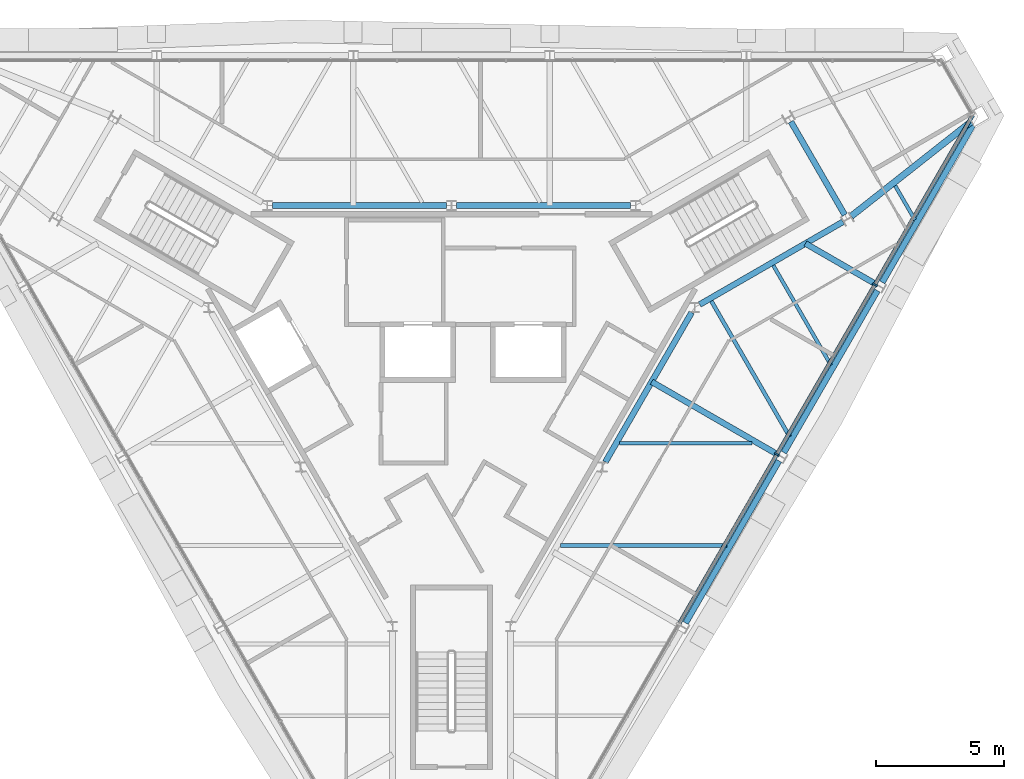
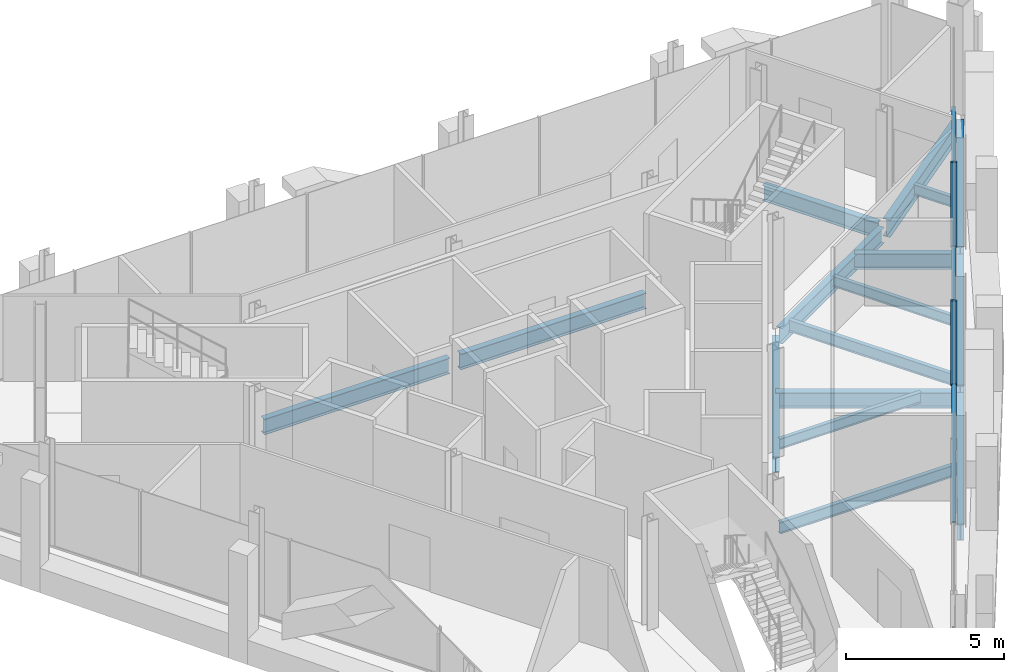
# One storey, part 5 of 13: 16 beams, 5 members, 1 element without a shape of its own.
"""IFC4 building model written with IfcOpenShell, lengths in metres."""

import ifcopenshell
import ifcopenshell.guid

model = None  # the IFC model being written
_history = None  # IfcOwnerHistory: only IFC2X3 demands one
_inside = {}  # id of a spatial element -> (the spatial element, [elements in it])
_under = {}  # id of a project, library or spatial element -> (it, [spatial elements below it])
_declared = {}  # id of a project -> (the project, [libraries it declares])
_typed = {}  # id of a type object -> (the type object, [elements of that type])
_made_of = {}  # id of a material, layer set ... -> (it, [elements and type objects made of it])


def new_model(schema):
    """Start an empty IFC model of exactly this schema.

    Asked for "IFC4X3", IfcOpenShell would pick the latest addendum, in which some entities
    have other attributes; the version numbers below select the first issue.
    IFC2X3 requires an IfcOwnerHistory on every rooted entity: one is made here for all.
    """
    global model, _history
    if schema == "IFC4X3":
        model = ifcopenshell.file(schema_version=(4, 3, 0, 0))
    else:
        model = ifcopenshell.file(schema=schema)
    _inside.clear()
    _under.clear()
    _declared.clear()
    _typed.clear()
    _made_of.clear()
    _history = None
    if model.schema == "IFC2X3":
        org = make("IfcOrganization", Name="unknown")
        user = make(
            "IfcPersonAndOrganization",
            ThePerson=make("IfcPerson", FamilyName="unknown"),
            TheOrganization=org,
        )
        app = make(
            "IfcApplication",
            ApplicationDeveloper=org,
            Version="unknown",
            ApplicationFullName="unknown",
            ApplicationIdentifier="unknown",
        )
        _history = make(
            "IfcOwnerHistory",
            OwningUser=user,
            OwningApplication=app,
            ChangeAction="ADDED",
            CreationDate=0,
        )
    return model


def make(cls, **values):
    """One entity of the class cls with the attributes given. An attribute that is None is left unset."""
    return model.create_entity(
        cls, **{name: value for name, value in values.items() if value is not None}
    )


def rooted(cls, **values):
    """An entity with a GlobalId (a new one), such as an element, a storey or a relation."""
    return make(cls, GlobalId=ifcopenshell.guid.new(), OwnerHistory=_history, **values)


def si_unit(unit_type, name, prefix=None):
    """IfcSIUnit, for example si_unit("LENGTHUNIT", "METRE", prefix="MILLI")."""
    return make("IfcSIUnit", UnitType=unit_type, Prefix=prefix, Name=name)


def assignment(units):
    """IfcUnitAssignment: the units of a project."""
    return None if units is None else make("IfcUnitAssignment", Units=units)


def point(xyz):
    """IfcCartesianPoint."""
    return None if xyz is None else make("IfcCartesianPoint", Coordinates=xyz)


def direction(xyz):
    """IfcDirection."""
    return None if xyz is None else make("IfcDirection", DirectionRatios=xyz)


def frame(location, z_axis=None, x_axis=None):
    """IfcAxis2Placement3D, a coordinate frame: its origin and axes. An axis left out is left unset."""
    return make(
        "IfcAxis2Placement3D",
        Location=point(location),
        Axis=direction(z_axis),
        RefDirection=direction(x_axis),
    )


def frame_2d(location, x_axis=None):
    """IfcAxis2Placement2D, a coordinate frame in the plane: its origin and x axis."""
    return make(
        "IfcAxis2Placement2D", Location=point(location), RefDirection=direction(x_axis)
    )


def origin():
    """The frame at (0, 0, 0) with its axes left unset."""
    return frame((0.0, 0.0, 0.0))


def origin_2d():
    """The frame at (0, 0) in the plane with its x axis left unset."""
    return frame_2d((0.0, 0.0))


def place(relative_to, where):
    """IfcLocalPlacement: puts the frame where relative to a parent placement (None: the world)."""
    return make(
        "IfcLocalPlacement", PlacementRelTo=relative_to, RelativePlacement=where
    )


def context(
    kind, dimensions, precision=None, world=None, true_north=None, identifier=None
):
    """IfcGeometricRepresentationContext, for example the 3D "Model" context."""
    return make(
        "IfcGeometricRepresentationContext",
        ContextIdentifier=identifier,
        ContextType=kind,
        CoordinateSpaceDimension=dimensions,
        Precision=precision,
        WorldCoordinateSystem=world,
        TrueNorth=true_north,
    )


def subcontext(parent, identifier, kind, view, scale=None):
    """IfcGeometricRepresentationSubContext, for example "Body" below "Model"."""
    return make(
        "IfcGeometricRepresentationSubContext",
        ContextIdentifier=identifier,
        ContextType=kind,
        ParentContext=parent,
        TargetScale=scale,
        TargetView=view,
    )


def project(units=None, contexts=None):
    """IfcProject with its units and contexts."""
    return rooted(
        "IfcProject",
        Name="project",
        RepresentationContexts=contexts,
        UnitsInContext=assignment(units),
    )


def spatial(cls, under=None, at=None, **own):
    """A site, building, storey or space (cls), placed at a placement, below another one or the project."""
    s = rooted(cls, ObjectPlacement=at, **own)
    if under is not None:
        _under.setdefault(under.id(), (under, []))[1].append(s)
    return s


def profile(cls, at=None, kind="AREA", **sizes):
    """A parametric profile (cls). Its sizes go by their IFC names, for example OverallWidth=200.0."""
    return make(cls, ProfileType=kind, Position=at, **sizes)


def rectangle(**sizes):
    """IfcRectangleProfileDef."""
    return profile("IfcRectangleProfileDef", **sizes)


def i_section(**sizes):
    """IfcIShapeProfileDef."""
    return profile("IfcIShapeProfileDef", **sizes)


def extrude(swept, where, along, depth):
    """IfcExtrudedAreaSolid: the profile swept, set in the frame where, extruded along a direction by depth."""
    return make(
        "IfcExtrudedAreaSolid",
        SweptArea=swept,
        Position=where,
        ExtrudedDirection=direction(along),
        Depth=depth,
    )


def shape(context_of_items, identifier, shape_type, items):
    """IfcShapeRepresentation: the items that make up one representation, for example the "Body"."""
    return make(
        "IfcShapeRepresentation",
        ContextOfItems=context_of_items,
        RepresentationIdentifier=identifier,
        RepresentationType=shape_type,
        Items=items,
    )


def material(Name=None, Category=None):
    """IfcMaterial."""
    return make("IfcMaterial", Name=Name, Category=Category)


def material_profile(
    of_material, cross_section, Name=None, Category=None, Priority=None
):
    """IfcMaterialProfile: a cross section and its material."""
    return make(
        "IfcMaterialProfile",
        Name=Name,
        Material=of_material,
        Profile=cross_section,
        Priority=Priority,
        Category=Category,
    )


def profile_set(profiles, Name=None, composite=None):
    """IfcMaterialProfileSet."""
    return make(
        "IfcMaterialProfileSet",
        Name=Name,
        MaterialProfiles=profiles,
        CompositeProfile=composite,
    )


def made_of(thing, what):
    """Note that an element or type object is made of a material, layer set ...; save() writes the relation."""
    if what is not None:
        _made_of.setdefault(what.id(), (what, []))[1].append(thing)
    return thing


def type_object(cls, material=None, **own):
    """A type object (cls), such as IfcWallType, which elements share."""
    return made_of(rooted(cls, **own), material)


def element(
    cls,
    number,
    at=None,
    inside=None,
    cuts=None,
    type_object=None,
    material=None,
    context=None,
    identifier="Body",
    shape_type=None,
    held_by="IfcProductDefinitionShape",
    body=None,
    shapes=None,
    **own,
):
    """One element of the class cls, such as IfcWall. Its Tag is "e" and its number.

    at: its placement. inside: the storey or other place that contains it. cuts: it is an
    opening in that element (IfcRelVoidsElement). A single representation is given by context,
    identifier, shape_type and body (its items); several are given by shapes. held_by: the class
    of the entity that holds the representations. save() writes the other relations.
    """
    e = rooted(cls, Tag="e%d" % number, ObjectPlacement=at, **own)
    if body is not None:
        shapes = [shape(context, identifier, shape_type, body)]
    if shapes is not None:
        e.Representation = make(held_by, Representations=shapes)
    if inside is not None:
        _inside.setdefault(inside.id(), (inside, []))[1].append(e)
    if cuts is not None:
        rooted(
            "IfcRelVoidsElement", RelatingBuildingElement=cuts, RelatedOpeningElement=e
        )
    if type_object is not None:
        _typed.setdefault(type_object.id(), (type_object, []))[1].append(e)
    return made_of(e, material)


def aggregate(whole, parts):
    """IfcRelAggregates: a whole, such as a stair, and the parts it consists of."""
    return rooted("IfcRelAggregates", RelatingObject=whole, RelatedObjects=parts)


def save(model, path):
    """Write the relations noted so far, then the file.

    IfcRelAggregates (storeys below a building ...), IfcRelContainedInSpatialStructure (elements
    in a storey), IfcRelDefinesByType, IfcRelAssociatesMaterial and IfcRelDeclares: one each for
    every whole, place, type object, material and project.
    """
    for whole, parts in _under.values():
        aggregate(whole, parts)
    for where, things in _inside.values():
        rooted(
            "IfcRelContainedInSpatialStructure",
            RelatedElements=things,
            RelatingStructure=where,
        )
    for kind, things in _typed.values():
        rooted("IfcRelDefinesByType", RelatedObjects=things, RelatingType=kind)
    for what, things in _made_of.values():
        rooted("IfcRelAssociatesMaterial", RelatedObjects=things, RelatingMaterial=what)
    for by, libraries in _declared.values():
        rooted("IfcRelDeclares", RelatingContext=by, RelatedDefinitions=libraries)
    model.write(path)


model = new_model("IFC4")

# Units and contexts
model_context = context("Model", 3, precision=1e-05, world=origin(), true_north=direction((0.0, 1.0)))
body_context = subcontext(model_context, "Body", "Model", "MODEL_VIEW")
ifc_project = project(units=[si_unit("LENGTHUNIT", "METRE"), si_unit("AREAUNIT", "SQUARE_METRE"), si_unit("VOLUMEUNIT", "CUBIC_METRE"), si_unit("PLANEANGLEUNIT", "RADIAN"), si_unit("MASSUNIT", "GRAM", prefix="KILO")], contexts=[model_context])

# Site, building, storey
site_placement = place(None, origin())
site = spatial("IfcSite", under=ifc_project, at=site_placement, CompositionType="ELEMENT")
building_placement = place(site_placement, origin())
building = spatial("IfcBuilding", under=site, at=building_placement, Name="Verrane Prism Tower", CompositionType="ELEMENT")
storey_placement = place(building_placement, frame((0.0, 0.0, 312.60009765625)))
storey = spatial("IfcBuildingStorey", under=building, at=storey_placement, Name="L79", CompositionType="ELEMENT", Elevation=312.60009765625)

# Beams
ifc_material_1 = material(Name="Steel A992", Category="steel")
ifc_material_profile_1 = material_profile(ifc_material_1, i_section(OverallWidth=0.228271484375, OverallDepth=0.607177734375, WebThickness=0.01123046875, FlangeThickness=0.017333984375, FilletRadius=0.0126953125, at=origin_2d()), Name="W24x76")
ifc_profile_set_1 = profile_set([ifc_material_profile_1], Name="Steel A992")
beam_type_1 = type_object("IfcBeamType", Name="Core ring girder W24x76", PredefinedType="BEAM", material=ifc_profile_set_1)
beam_1_placement = place(storey_placement, frame((9.679443359375, 2.93505859375, -0.5537109375), z_axis=(0.866076057046, 0.499912255713, 0.0), x_axis=(-0.499912255713, 0.866076057046, 0.0)))
element("IfcBeam", 1, at=beam_1_placement, inside=storey, type_object=beam_type_1, Name="Core ring girder L79", PredefinedType="BEAM", context=body_context, shape_type="SweptSolid", body=[
    extrude(i_section(OverallWidth=0.228271484375, OverallDepth=0.607177734375, WebThickness=0.01123046875, FlangeThickness=0.017333984375, FilletRadius=0.0126953125, at=origin_2d()), origin(), (0.0, 0.0, 1.0), 6.458251953125),
])
beam_2_placement = place(storey_placement, frame((15.340087890625, 6.4326171875, -0.5537109375), z_axis=(-0.500323136493, 0.865838760445, 0.0), x_axis=(-0.865838760445, -0.500323136493, 0.0)))
element("IfcBeam", 2, at=beam_2_placement, inside=storey, type_object=beam_type_1, Name="Core ring girder L79", PredefinedType="BEAM", context=body_context, shape_type="SweptSolid", body=[
    extrude(i_section(OverallWidth=0.228271484375, OverallDepth=0.607177734375, WebThickness=0.01123046875, FlangeThickness=0.017333984375, FilletRadius=0.0126953125, at=origin_2d()), origin(), (0.0, 0.0, 1.0), 4.197998046875),
])
for number, where, z_axis, x_axis, name in (
    (3, (6.980712890625, 6.800048828125, -0.5537109375), (-1.0, 0.0, 0.0), (0.0, -1.0, 0.0), "Core ring girder L79"),
    (4, (-0.199462890625, 6.800048828125, -0.5537109375), (-1.0, 0.0, 0.0), (0.0, -1.0, 0.0), "Core ring girder L79"),
):
    element("IfcBeam", number, at=place(storey_placement, frame(where, z_axis=z_axis, x_axis=x_axis)), inside=storey, type_object=beam_type_1, Name=name, PredefinedType="BEAM", context=body_context, shape_type="SweptSolid", body=[
        extrude(i_section(OverallWidth=0.228271484375, OverallDepth=0.607177734375, WebThickness=0.01123046875, FlangeThickness=0.017333984375, FilletRadius=0.0126953125, at=origin_2d()), origin(), (0.0, 0.0, 1.0), 6.78125),
    ])
beam_3_placement = place(storey_placement, frame((6.00146484375, -3.20703125, -0.5537109375), z_axis=(0.499881421193, 0.866093854468, 0.0), x_axis=(-0.866093854468, 0.499881421193, 0.0)))
element("IfcBeam", 5, at=beam_3_placement, inside=storey, type_object=beam_type_1, Name="Core ring girder L79", PredefinedType="BEAM", context=body_context, shape_type="SweptSolid", body=[
    extrude(i_section(OverallWidth=0.228271484375, OverallDepth=0.607177734375, WebThickness=0.01123046875, FlangeThickness=0.017333984375, FilletRadius=0.0126953125, at=origin_2d()), origin(), (0.0, 0.0, 1.0), 6.736083984375),
])
ifc_material_2 = material(Name="Steel A992", Category="steel")
ifc_material_profile_2 = material_profile(ifc_material_2, i_section(OverallWidth=0.25390625, OverallDepth=0.683349609375, WebThickness=0.012451171875, FlangeThickness=0.01904296875, FilletRadius=0.01513671875, at=origin_2d()), Name="W27x94")
ifc_profile_set_2 = profile_set([ifc_material_profile_2], Name="Steel A992")
beam_type_2 = type_object("IfcBeamType", Name="Corner girder W27x94", PredefinedType="BEAM", material=ifc_profile_set_2)
beam_4_placement = place(storey_placement, frame((20.26220703125, 10.06103515625, -0.561767578125), z_axis=(-0.785339810319, -0.619064925777, 0.0), x_axis=(0.619064925777, -0.785339810319, 0.0)))
element("IfcBeam", 6, at=beam_4_placement, inside=storey, type_object=beam_type_2, Name="Corner girder L79", PredefinedType="BEAM", context=body_context, shape_type="SweptSolid", body=[
    extrude(i_section(OverallWidth=0.25390625, OverallDepth=0.683349609375, WebThickness=0.012451171875, FlangeThickness=0.01904296875, FilletRadius=0.01513671875, at=origin_2d()), origin(), (0.0, 0.0, 1.0), 5.945068359375),
])
ifc_material_3 = material(Name="Steel A992", Category="steel")
ifc_material_profile_3 = material_profile(ifc_material_3, i_section(OverallWidth=0.140380859375, OverallDepth=0.40380859375, WebThickness=0.007080078125, FlangeThickness=0.01123046875, FilletRadius=0.01025390625, at=origin_2d()), Name="W16x31")
ifc_profile_set_3 = profile_set([ifc_material_profile_3], Name="Steel A992")
beam_type_3 = type_object("IfcBeamType", Name="Floor beam W16x31", PredefinedType="BEAM", material=ifc_profile_set_3)
beam_5_placement = place(storey_placement, frame((6.5595703125, -2.469970703125, -0.362060546875), z_axis=(1.0, 0.0, 0.0), x_axis=(0.0, 1.0, 0.0)))
element("IfcBeam", 7, at=beam_5_placement, inside=storey, type_object=beam_type_3, Name="Floor beam L79", PredefinedType="BEAM", context=body_context, shape_type="SweptSolid", body=[
    extrude(i_section(OverallWidth=0.140380859375, OverallDepth=0.40380859375, WebThickness=0.007080078125, FlangeThickness=0.01123046875, FilletRadius=0.01025390625, at=origin_2d()), origin(), (0.0, 0.0, 1.0), 5.1640625),
])
beam_6_placement = place(storey_placement, frame((14.801513671875, 0.5673828125, -0.362060546875), z_axis=(-0.500038829804, 0.866002984226, 0.0), x_axis=(-0.866002984226, -0.500038829804, 0.0)))
element("IfcBeam", 8, at=beam_6_placement, inside=storey, type_object=beam_type_3, Name="Floor beam L79", PredefinedType="BEAM", context=body_context, shape_type="SweptSolid", body=[
    extrude(i_section(OverallWidth=0.140380859375, OverallDepth=0.40380859375, WebThickness=0.007080078125, FlangeThickness=0.01123046875, FilletRadius=0.01025390625, at=origin_2d()), origin(), (0.0, 0.0, 1.0), 4.497802734375),
])
beam_7_placement = place(storey_placement, frame((18.076904296875, 6.23779296875, -0.362060546875), z_axis=(-0.499978844458, 0.866037617598, 0.0), x_axis=(-0.866037617598, -0.499978844458, 0.0)))
element("IfcBeam", 9, at=beam_7_placement, inside=storey, type_object=beam_type_3, Name="Floor beam L79", PredefinedType="BEAM", context=body_context, shape_type="SweptSolid", body=[
    extrude(i_section(OverallWidth=0.140380859375, OverallDepth=0.40380859375, WebThickness=0.007080078125, FlangeThickness=0.01123046875, FilletRadius=0.01025390625, at=origin_2d()), origin(), (0.0, 0.0, 1.0), 1.53857421875),
])
ifc_material_4 = material(Name="Steel A992", Category="steel")
ifc_material_profile_4 = material_profile(ifc_material_4, i_section(OverallWidth=0.15234375, OverallDepth=0.449462890625, WebThickness=0.007568359375, FlangeThickness=0.0107421875, FilletRadius=0.01025390625, at=origin_2d()), Name="W18x35")
ifc_profile_set_4 = profile_set([ifc_material_profile_4], Name="Steel A992")
beam_type_4 = type_object("IfcBeamType", Name="Floor beam W18x35", PredefinedType="BEAM", material=ifc_profile_set_4)
beam_8_placement = place(storey_placement, frame((4.251953125, -6.4599609375, -0.385009765625), z_axis=(1.0, 0.0, 0.0), x_axis=(0.0, 1.0, 0.0)))
element("IfcBeam", 10, at=beam_8_placement, inside=storey, type_object=beam_type_4, Name="Floor beam L79", PredefinedType="BEAM", context=body_context, shape_type="SweptSolid", body=[
    extrude(i_section(OverallWidth=0.15234375, OverallDepth=0.449462890625, WebThickness=0.007568359375, FlangeThickness=0.0107421875, FilletRadius=0.01025390625, at=origin_2d()), origin(), (0.0, 0.0, 1.0), 6.49365234375),
])
beam_9_placement = place(storey_placement, frame((13.189697265625, -2.219482421875, -0.385009765625), z_axis=(-0.499979762145, 0.8660370878, 0.0), x_axis=(-0.8660370878, -0.499979762145, 0.0)))
element("IfcBeam", 11, at=beam_9_placement, inside=storey, type_object=beam_type_4, Name="Floor beam L79", PredefinedType="BEAM", context=body_context, shape_type="SweptSolid", body=[
    extrude(i_section(OverallWidth=0.15234375, OverallDepth=0.449462890625, WebThickness=0.007568359375, FlangeThickness=0.0107421875, FilletRadius=0.01025390625, at=origin_2d()), origin(), (0.0, 0.0, 1.0), 6.105224609375),
])

# Curtain wall, members
ifc_material_5 = material(Name="Aluminium framed insulated glazing", Category="aluminium")
curtain_wall_type = type_object("IfcCurtainWallType", Name="Curtain wall CW-A 8400 module", PredefinedType="NOTDEFINED", material=ifc_material_5)
curtain_wall_placement = place(storey_placement, origin())
curtain_wall = element("IfcCurtainWall", 12, at=curtain_wall_placement, inside=storey, type_object=curtain_wall_type, Name="Glazed curtain wall south-east face L79", PredefinedType="NOTDEFINED")
ifc_material_6 = material(Name="Aluminium alloy 6063-T6", Category="aluminium")
ifc_material_profile_5 = material_profile(ifc_material_6, rectangle(XDim=0.199951171875, YDim=0.070068359375, at=origin_2d()), Name="Mullion 70x200 aluminium")
ifc_profile_set_5 = profile_set([ifc_material_profile_5], Name="Aluminium alloy 6063-T6")
member_type_1 = type_object("IfcMemberType", Name="Mullion 70x200 aluminium", PredefinedType="MULLION", material=ifc_profile_set_5)
member_1_placement = place(storey_placement, frame((12.69091796875, -2.912841796875, 0.0), z_axis=(0.0, 0.0, 1.0), x_axis=(-0.866025278644, 0.500000216749, 0.0)))
member_1 = element("IfcMember", 13, at=member_1_placement, type_object=member_type_1, Name="CW79.6 mullion 4", PredefinedType="MULLION", context=body_context, shape_type="SweptSolid", body=[
    extrude(rectangle(XDim=0.199951171875, YDim=0.070068359375, at=origin_2d()), origin(), (0.0, 0.0, 1.0), 3.296630859375),
])
member_2_placement = place(storey_placement, frame((16.513916015625, 3.708251953125, 0.0), z_axis=(0.0, 0.0, 1.0), x_axis=(-0.866025278644, 0.500000216749, 0.0)))
member_2 = element("IfcMember", 14, at=member_2_placement, type_object=member_type_1, Name="CW79.6 mullion 5", PredefinedType="MULLION", context=body_context, shape_type="SweptSolid", body=[
    extrude(rectangle(XDim=0.199951171875, YDim=0.070068359375, at=origin_2d()), origin(), (0.0, 0.0, 1.0), 3.296630859375),
])

# Beams
ifc_material_7 = material(Name="Steel A992", Category="steel")
ifc_material_profile_6 = material_profile(ifc_material_7, i_section(OverallWidth=0.228271484375, OverallDepth=0.607177734375, WebThickness=0.01123046875, FlangeThickness=0.017333984375, FilletRadius=0.0126953125, at=origin_2d()), Name="W24x76")
ifc_profile_set_6 = profile_set([ifc_material_profile_6], Name="Steel A992")
beam_type_5 = type_object("IfcBeamType", Name="Radial girder W24x76", PredefinedType="BEAM", material=ifc_profile_set_6)
beam_10_placement = place(storey_placement, frame((12.71044921875, -2.907958984375, -0.523681640625), z_axis=(-0.866021122779, 0.500007414845, 0.0), x_axis=(-0.500007414845, -0.866021122779, 0.0)))
element("IfcBeam", 15, at=beam_10_placement, inside=storey, type_object=beam_type_5, Name="Radial girder L79", PredefinedType="BEAM", context=body_context, shape_type="SweptSolid", body=[
    extrude(i_section(OverallWidth=0.228271484375, OverallDepth=0.607177734375, WebThickness=0.01123046875, FlangeThickness=0.017333984375, FilletRadius=0.0126953125, at=origin_2d()), origin(), (0.0, 0.0, 1.0), 5.6611328125),
])
beam_11_placement = place(storey_placement, frame((16.550537109375, 3.732177734375, -0.523681640625), z_axis=(-0.866011117715, 0.500024743381, 0.0), x_axis=(-0.500024743381, -0.866011117715, 0.0)))
element("IfcBeam", 16, at=beam_11_placement, inside=storey, type_object=beam_type_5, Name="Radial girder L79", PredefinedType="BEAM", context=body_context, shape_type="SweptSolid", body=[
    extrude(i_section(OverallWidth=0.228271484375, OverallDepth=0.607177734375, WebThickness=0.01123046875, FlangeThickness=0.017333984375, FilletRadius=0.0126953125, at=origin_2d()), origin(), (0.0, 0.0, 1.0), 3.169189453125),
])
ifc_material_8 = material(Name="Steel A992", Category="steel")
ifc_material_profile_7 = material_profile(ifc_material_8, i_section(OverallWidth=0.228271484375, OverallDepth=0.607177734375, WebThickness=0.01123046875, FlangeThickness=0.017333984375, FilletRadius=0.0126953125, at=origin_2d()), Name="W24x76")
ifc_profile_set_7 = profile_set([ifc_material_profile_7], Name="Steel A992")
beam_type_6 = type_object("IfcBeamType", Name="Spandrel beam W24x76", PredefinedType="SPANDREL", material=ifc_profile_set_7)
beam_12_placement = place(storey_placement, frame((9.13330078125, -9.48828125, -0.463623046875), z_axis=(0.499074796412, 0.866558911781, 0.0), x_axis=(-0.866558911781, 0.499074796412, 0.0)))
element("IfcBeam", 17, at=beam_12_placement, inside=storey, type_object=beam_type_6, Name="Spandrel beam L79", PredefinedType="SPANDREL", context=body_context, shape_type="SweptSolid", body=[
    extrude(i_section(OverallWidth=0.228271484375, OverallDepth=0.607177734375, WebThickness=0.01123046875, FlangeThickness=0.017333984375, FilletRadius=0.0126953125, at=origin_2d()), origin(), (0.0, 0.0, 1.0), 7.300537109375),
])
beam_13_placement = place(storey_placement, frame((12.96337890625, -2.83837890625, -0.463623046875), z_axis=(0.50061813753, 0.865668227658, 0.0), x_axis=(-0.865668227658, 0.50061813753, 0.0)))
element("IfcBeam", 18, at=beam_13_placement, inside=storey, type_object=beam_type_6, Name="Spandrel beam L79", PredefinedType="SPANDREL", context=body_context, shape_type="SweptSolid", body=[
    extrude(i_section(OverallWidth=0.228271484375, OverallDepth=0.607177734375, WebThickness=0.01123046875, FlangeThickness=0.017333984375, FilletRadius=0.0126953125, at=origin_2d()), origin(), (0.0, 0.0, 1.0), 7.297119140625),
])
beam_14_placement = place(storey_placement, frame((16.80322265625, 3.8017578125, -0.463623046875), z_axis=(0.499650748497, 0.866226950358, 0.0), x_axis=(-0.866226950358, 0.499650748497, 0.0)))
element("IfcBeam", 19, at=beam_14_placement, inside=storey, type_object=beam_type_6, Name="Spandrel beam L79", PredefinedType="SPANDREL", context=body_context, shape_type="SweptSolid", body=[
    extrude(i_section(OverallWidth=0.228271484375, OverallDepth=0.607177734375, WebThickness=0.01123046875, FlangeThickness=0.017333984375, FilletRadius=0.0126953125, at=origin_2d()), origin(), (0.0, 0.0, 1.0), 7.07421875),
])

# Member
ifc_material_9 = material(Name="Aluminium alloy 6063-T6", Category="aluminium")
ifc_material_profile_8 = material_profile(ifc_material_9, rectangle(XDim=0.14990234375, YDim=0.070068359375, at=origin_2d()), Name="Transom 70x150 aluminium")
ifc_profile_set_8 = profile_set([ifc_material_profile_8], Name="Aluminium alloy 6063-T6")
member_type_2 = type_object("IfcMemberType", Name="Transom 70x150 aluminium", PredefinedType="USERDEFINED", material=ifc_profile_set_8)
member_3_placement = place(storey_placement, frame((8.8857421875, -9.50390625, 0.034912109375), z_axis=(0.50001072126, 0.866019213774, 0.0), x_axis=(-0.866019213774, 0.50001072126, 0.0)))
member_3 = element("IfcMember", 20, at=member_3_placement, type_object=member_type_2, Name="CW79.6 transom 3", ObjectType="TRANSOM", PredefinedType="USERDEFINED", context=body_context, shape_type="SweptSolid", body=[
    extrude(rectangle(XDim=0.14990234375, YDim=0.070068359375, at=origin_2d()), origin(), (0.0, 0.0, 1.0), 7.575439453125),
])

member_4_placement = place(storey_placement, frame((12.70849609375, -2.882568359375, 0.034912109375), z_axis=(0.50001072126, 0.866019213774, 0.0), x_axis=(-0.866019213774, 0.50001072126, 0.0)))
member_4 = element("IfcMember", 21, at=member_4_placement, type_object=member_type_2, Name="CW79.6 transom 4", ObjectType="TRANSOM", PredefinedType="USERDEFINED", context=body_context, shape_type="SweptSolid", body=[
    extrude(rectangle(XDim=0.14990234375, YDim=0.070068359375, at=origin_2d()), origin(), (0.0, 0.0, 1.0), 7.575439453125),
])

member_5_placement = place(storey_placement, frame((16.53125, 3.738525390625, 0.034912109375), z_axis=(0.500006610935, 0.866021586926, 0.0), x_axis=(-0.866021586926, 0.500006610935, 0.0)))
member_5 = element("IfcMember", 22, at=member_5_placement, type_object=member_type_2, Name="CW79.6 transom 5", ObjectType="TRANSOM", PredefinedType="USERDEFINED", context=body_context, shape_type="SweptSolid", body=[
    extrude(rectangle(XDim=0.14990234375, YDim=0.070068359375, at=origin_2d()), origin(), (0.0, 0.0, 1.0), 7.61083984375),
])

aggregate(curtain_wall, [member_1, member_2, member_3, member_4, member_5])

save(model, "model.ifc")
